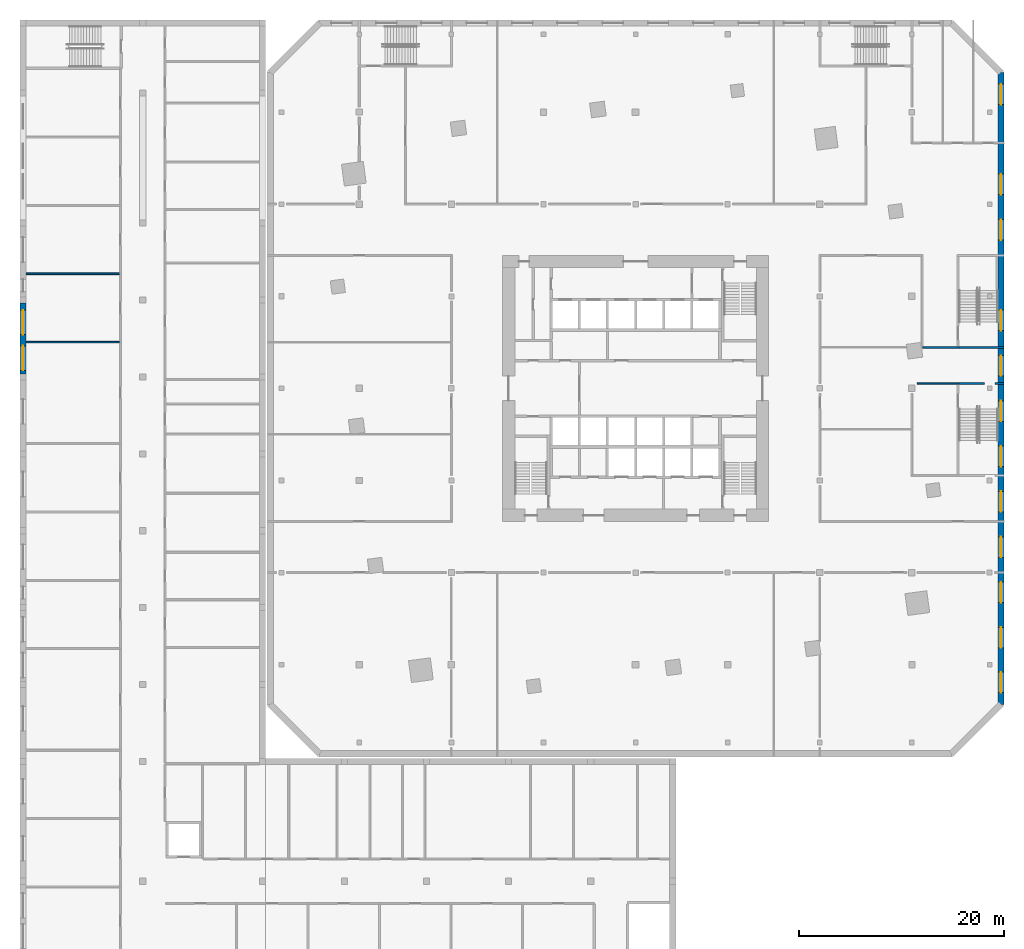
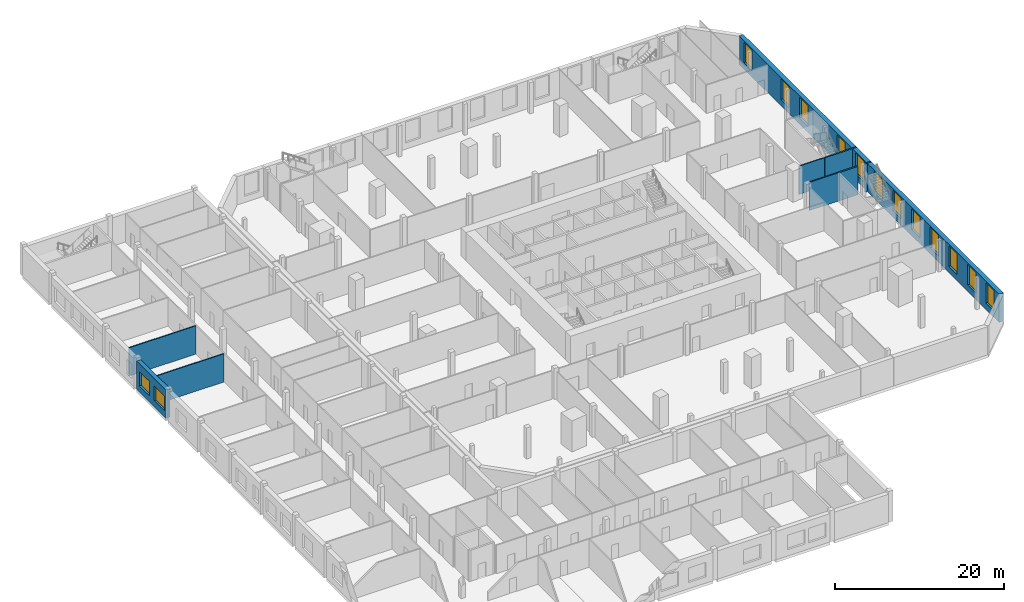
# One storey, part 9 of 18: 14 windows, 9 walls, 14 openings.
"""IFC4 building model written with IfcOpenShell, lengths in metres."""

from ifc_helpers import new_model, si_unit, direction, frame, frame_2d, origin, place, context, subcontext, project, spatial, rectangle, extrude, material, layer, layer_set, type_object, element, fill, save


model = new_model("IFC4")

# Units and contexts
model_context = context("Model", 3, precision=1e-05, world=origin(), true_north=direction((0.0, 1.0)))
body_context = subcontext(model_context, "Body", "Model", "MODEL_VIEW")
ifc_project = project(units=[si_unit("LENGTHUNIT", "METRE"), si_unit("AREAUNIT", "SQUARE_METRE"), si_unit("VOLUMEUNIT", "CUBIC_METRE"), si_unit("PLANEANGLEUNIT", "RADIAN"), si_unit("MASSUNIT", "GRAM", prefix="KILO")], contexts=[model_context])

# Site, building, storey
site_placement = place(None, origin())
site = spatial("IfcSite", under=ifc_project, at=site_placement, CompositionType="ELEMENT")
building_placement = place(site_placement, origin())
building = spatial("IfcBuilding", under=site, at=building_placement, Name="Dilmun Exchange Tower", CompositionType="ELEMENT")
storey_placement = place(building_placement, frame((0.0, 0.0, 13.5)))
storey = spatial("IfcBuildingStorey", under=building, at=storey_placement, Name="L03", CompositionType="ELEMENT", Elevation=13.5)

# Walls
ifc_material_1 = material(Name="Fire partition EI 60 150 gypsum")
ifc_layer_1 = layer(ifc_material_1, 0.14990234375)
ifc_layer_set_1 = layer_set([ifc_layer_1], Name="Fire partition EI 60 150 gypsum")
wall_type_1 = type_object("IfcWallType", Name="Fire partition EI 60 150 gypsum", PredefinedType="PARTITIONING", material=ifc_layer_set_1)
wall_1_placement = place(storey_placement, frame((27.5, 0.5, 0.0), z_axis=(0.0, 0.0, 1.0), x_axis=(1.0, 0.0, 0.0)))
element("IfcWall", 1, at=wall_1_placement, inside=storey, type_object=wall_type_1, Name="L03 partition", PredefinedType="PARTITIONING", context=body_context, shape_type="SweptSolid", body=[
    extrude(rectangle(XDim=4.10009765625, YDim=0.14990234375, at=frame_2d((2.050048828125, 0.0))), origin(), (0.0, 0.0, 1.0), 4.10009765625),
])
wall_2_placement = place(storey_placement, frame((28.074951171875, 4.0, 0.0), z_axis=(0.0, 0.0, 1.0), x_axis=(1.0, 0.0, 0.0)))
element("IfcWall", 2, at=wall_2_placement, inside=storey, type_object=wall_type_1, Name="L03 partition", PredefinedType="PARTITIONING", context=body_context, shape_type="SweptSolid", body=[
    extrude(rectangle(XDim=3.525146484375, YDim=0.14990234375, at=frame_2d((1.7626953125, 0.0))), origin(), (0.0, 0.0, 1.0), 4.10009765625),
])
ifc_material_2 = material(Name="Fire wall EI 120 200 blockwork", Category="masonry")
ifc_layer_2 = layer(ifc_material_2, 0.199951171875)
ifc_layer_set_2 = layer_set([ifc_layer_2], Name="Fire wall EI 120 200 blockwork")
wall_type_2 = type_object("IfcWallType", Name="Fire wall EI 120 200 blockwork", PredefinedType="PARTITIONING", material=ifc_layer_set_2)
wall_3_placement = place(storey_placement, frame((31.60009765625, 0.5, 0.0), z_axis=(0.0, 0.0, 1.0), x_axis=(1.0, 0.0, 0.0)))
element("IfcWall", 3, at=wall_3_placement, inside=storey, type_object=wall_type_2, Name="L03 stair wall", PredefinedType="PARTITIONING", context=body_context, shape_type="SweptSolid", body=[
    extrude(rectangle(XDim=2.5, YDim=0.199951171875, at=frame_2d((1.25, 0.0))), origin(), (0.0, 0.0, 1.0), 4.10009765625),
])
wall_4_placement = place(storey_placement, frame((35.10009765625, 0.5, 0.0), z_axis=(0.0, 0.0, 1.0), x_axis=(1.0, 0.0, 0.0)))
element("IfcWall", 4, at=wall_4_placement, inside=storey, type_object=wall_type_2, Name="L03 stair wall", PredefinedType="PARTITIONING", context=body_context, shape_type="SweptSolid", body=[
    extrude(rectangle(XDim=0.89990234375, YDim=0.199951171875, at=frame_2d((0.449951171875, 0.0))), origin(), (0.0, 0.0, 1.0), 4.10009765625),
])
wall_5_placement = place(storey_placement, frame((31.60009765625, 4.0, 0.0), z_axis=(0.0, 0.0, 1.0), x_axis=(1.0, 0.0, 0.0)))
element("IfcWall", 5, at=wall_5_placement, inside=storey, type_object=wall_type_2, Name="L03 stair wall", PredefinedType="PARTITIONING", context=body_context, shape_type="SweptSolid", body=[
    extrude(rectangle(XDim=4.39990234375, YDim=0.199951171875, at=frame_2d((2.199951171875, 0.0))), origin(), (0.0, 0.0, 1.0), 4.10009765625),
])

# Wall, openings, windows
ifc_material_3 = material(Name="Precast concrete C50/60", Category="concrete")
ifc_layer_3 = layer(ifc_material_3, 0.60009765625)
ifc_layer_set_3 = layer_set([ifc_layer_3], Name="Precast concrete C50/60")
wall_type_3 = type_object("IfcWallType", Name="Precast stone-clad wall 600", PredefinedType="STANDARD", material=ifc_layer_set_3)
wall_6_placement = place(storey_placement, frame((35.699951171875, -30.875732421875, 0.0), z_axis=(0.0, 0.0, 1.0), x_axis=(0.0, 1.0, 0.0)))
wall_6 = element("IfcWall", 6, at=wall_6_placement, inside=storey, type_object=wall_type_3, Name="Facade wall L03-02-0", PredefinedType="STANDARD", context=body_context, shape_type="SweptSolid", body=[
    extrude(rectangle(XDim=61.75146484375, YDim=0.60009765625, at=frame_2d((30.875732421875, 0.0))), origin(), (0.0, 0.0, 1.0), 4.10009765625),
])
opening_1_placement = place(wall_6_placement, frame((1.152099609375, 0.0, 0.89990234375)))
opening_1 = element("IfcOpeningElement", 7, at=opening_1_placement, cuts=wall_6, Name="Opening W200-300", PredefinedType="OPENING", context=body_context, shape_type="SweptSolid", body=[
    extrude(rectangle(XDim=2.0, YDim=3.0, at=frame_2d((1.0, 1.5))), frame((0.0, 0.31005859375, 0.0), z_axis=(0.0, -1.0, 0.0), x_axis=(1.0, 0.0, 0.0)), (0.0, 0.0, 1.0), 0.6201171875),
])
opening_2_placement = place(wall_6_placement, frame((5.5185546875, 0.0, 0.89990234375)))
opening_2 = element("IfcOpeningElement", 8, at=opening_2_placement, cuts=wall_6, Name="Opening W200-300", PredefinedType="OPENING", context=body_context, shape_type="SweptSolid", body=[
    extrude(rectangle(XDim=2.0, YDim=3.0, at=frame_2d((1.0, 1.5))), frame((0.0, 0.31005859375, 0.0), z_axis=(0.0, -1.0, 0.0), x_axis=(1.0, 0.0, 0.0)), (0.0, 0.0, 1.0), 0.6201171875),
])
opening_3_placement = place(wall_6_placement, frame((9.947265625, 0.0, 0.89990234375)))
opening_3 = element("IfcOpeningElement", 9, at=opening_3_placement, cuts=wall_6, Name="Opening W200-300", PredefinedType="OPENING", context=body_context, shape_type="SweptSolid", body=[
    extrude(rectangle(XDim=2.0, YDim=3.0, at=frame_2d((1.0, 1.5))), frame((0.0, 0.31005859375, 0.0), z_axis=(0.0, -1.0, 0.0), x_axis=(1.0, 0.0, 0.0)), (0.0, 0.0, 1.0), 0.6201171875),
])
opening_4_placement = place(wall_6_placement, frame((14.375732421875, 0.0, 0.89990234375)))
opening_4 = element("IfcOpeningElement", 10, at=opening_4_placement, cuts=wall_6, Name="Opening W200-300", PredefinedType="OPENING", context=body_context, shape_type="SweptSolid", body=[
    extrude(rectangle(XDim=2.0, YDim=3.0, at=frame_2d((1.0, 1.5))), frame((0.0, 0.31005859375, 0.0), z_axis=(0.0, -1.0, 0.0), x_axis=(1.0, 0.0, 0.0)), (0.0, 0.0, 1.0), 0.6201171875),
])
opening_5_placement = place(wall_6_placement, frame((18.80419921875, 0.0, 0.89990234375)))
opening_5 = element("IfcOpeningElement", 11, at=opening_5_placement, cuts=wall_6, Name="Opening W200-300", PredefinedType="OPENING", context=body_context, shape_type="SweptSolid", body=[
    extrude(rectangle(XDim=2.0, YDim=3.0, at=frame_2d((1.0, 1.5))), frame((0.0, 0.31005859375, 0.0), z_axis=(0.0, -1.0, 0.0), x_axis=(1.0, 0.0, 0.0)), (0.0, 0.0, 1.0), 0.6201171875),
])
opening_6_placement = place(wall_6_placement, frame((23.23291015625, 0.0, 0.89990234375)))
opening_6 = element("IfcOpeningElement", 12, at=opening_6_placement, cuts=wall_6, Name="Opening W200-300", PredefinedType="OPENING", context=body_context, shape_type="SweptSolid", body=[
    extrude(rectangle(XDim=2.0, YDim=3.0, at=frame_2d((1.0, 1.5))), frame((0.0, 0.31005859375, 0.0), z_axis=(0.0, -1.0, 0.0), x_axis=(1.0, 0.0, 0.0)), (0.0, 0.0, 1.0), 0.6201171875),
])
opening_7_placement = place(wall_6_placement, frame((27.66162109375, 0.0, 0.89990234375)))
opening_7 = element("IfcOpeningElement", 13, at=opening_7_placement, cuts=wall_6, Name="Opening W200-300", PredefinedType="OPENING", context=body_context, shape_type="SweptSolid", body=[
    extrude(rectangle(XDim=2.0, YDim=3.0, at=frame_2d((1.0, 1.5))), frame((0.0, 0.31005859375, 0.0), z_axis=(0.0, -1.0, 0.0), x_axis=(1.0, 0.0, 0.0)), (0.0, 0.0, 1.0), 0.6201171875),
])
opening_8_placement = place(wall_6_placement, frame((32.090087890625, 0.0, 0.89990234375)))
opening_8 = element("IfcOpeningElement", 14, at=opening_8_placement, cuts=wall_6, Name="Opening W200-300", PredefinedType="OPENING", context=body_context, shape_type="SweptSolid", body=[
    extrude(rectangle(XDim=2.0, YDim=3.0, at=frame_2d((1.0, 1.5))), frame((0.0, 0.31005859375, 0.0), z_axis=(0.0, -1.0, 0.0), x_axis=(1.0, 0.0, 0.0)), (0.0, 0.0, 1.0), 0.6201171875),
])
opening_9_placement = place(wall_6_placement, frame((36.5185546875, 0.0, 0.89990234375)))
opening_9 = element("IfcOpeningElement", 15, at=opening_9_placement, cuts=wall_6, Name="Opening W200-300", PredefinedType="OPENING", context=body_context, shape_type="SweptSolid", body=[
    extrude(rectangle(XDim=2.0, YDim=3.0, at=frame_2d((1.0, 1.5))), frame((0.0, 0.31005859375, 0.0), z_axis=(0.0, -1.0, 0.0), x_axis=(1.0, 0.0, 0.0)), (0.0, 0.0, 1.0), 0.6201171875),
])
opening_10_placement = place(wall_6_placement, frame((45.375732421875, 0.0, 0.89990234375)))
opening_10 = element("IfcOpeningElement", 16, at=opening_10_placement, cuts=wall_6, Name="Opening W200-300", PredefinedType="OPENING", context=body_context, shape_type="SweptSolid", body=[
    extrude(rectangle(XDim=2.0, YDim=3.0, at=frame_2d((1.0, 1.5))), frame((0.0, 0.31005859375, 0.0), z_axis=(0.0, -1.0, 0.0), x_axis=(1.0, 0.0, 0.0)), (0.0, 0.0, 1.0), 0.6201171875),
])
opening_11_placement = place(wall_6_placement, frame((49.80419921875, 0.0, 0.89990234375)))
opening_11 = element("IfcOpeningElement", 17, at=opening_11_placement, cuts=wall_6, Name="Opening W200-300", PredefinedType="OPENING", context=body_context, shape_type="SweptSolid", body=[
    extrude(rectangle(XDim=2.0, YDim=3.0, at=frame_2d((1.0, 1.5))), frame((0.0, 0.31005859375, 0.0), z_axis=(0.0, -1.0, 0.0), x_axis=(1.0, 0.0, 0.0)), (0.0, 0.0, 1.0), 0.6201171875),
])
opening_12_placement = place(wall_6_placement, frame((58.599365234375, 0.0, 0.89990234375)))
opening_12 = element("IfcOpeningElement", 18, at=opening_12_placement, cuts=wall_6, Name="Opening W200-300", PredefinedType="OPENING", context=body_context, shape_type="SweptSolid", body=[
    extrude(rectangle(XDim=2.0, YDim=3.0, at=frame_2d((1.0, 1.5))), frame((0.0, 0.31005859375, 0.0), z_axis=(0.0, -1.0, 0.0), x_axis=(1.0, 0.0, 0.0)), (0.0, 0.0, 1.0), 0.6201171875),
])
ifc_material_4 = material(Name="Clear low-emissivity glass in aluminium frame", Category="aluminium")
window_type_1 = type_object("IfcWindowType", Name="Punched window 2000 x 3000", PartitioningType="DOUBLE_PANEL_VERTICAL", PredefinedType="WINDOW", material=ifc_material_4)
window_1_placement = place(opening_1_placement, origin())
window_1 = element("IfcWindow", 19, at=window_1_placement, inside=storey, type_object=window_type_1, Name="Window 3.1", OverallHeight=3.0, OverallWidth=2.0, PartitioningType="SINGLE_PANEL", PredefinedType="WINDOW", context=body_context, shape_type="SweptSolid", body=[
    extrude(rectangle(XDim=2.0, YDim=3.0, at=frame_2d((1.0, 1.5))), frame((0.0, 0.030029296875, 0.0), z_axis=(0.0, -1.0, 0.0), x_axis=(1.0, 0.0, 0.0)), (0.0, 0.0, 1.0), 0.06005859375),
])
fill(opening_1, window_1)
window_2_placement = place(opening_2_placement, origin())
window_2 = element("IfcWindow", 20, at=window_2_placement, inside=storey, type_object=window_type_1, Name="Window 3.2", OverallHeight=3.0, OverallWidth=2.0, PartitioningType="SINGLE_PANEL", PredefinedType="WINDOW", context=body_context, shape_type="SweptSolid", body=[
    extrude(rectangle(XDim=2.0, YDim=3.0, at=frame_2d((1.0, 1.5))), frame((0.0, 0.030029296875, 0.0), z_axis=(0.0, -1.0, 0.0), x_axis=(1.0, 0.0, 0.0)), (0.0, 0.0, 1.0), 0.06005859375),
])
fill(opening_2, window_2)
window_3_placement = place(opening_3_placement, origin())
window_3 = element("IfcWindow", 21, at=window_3_placement, inside=storey, type_object=window_type_1, Name="Window 3.3", OverallHeight=3.0, OverallWidth=2.0, PartitioningType="SINGLE_PANEL", PredefinedType="WINDOW", context=body_context, shape_type="SweptSolid", body=[
    extrude(rectangle(XDim=2.0, YDim=3.0, at=frame_2d((1.0, 1.5))), frame((0.0, 0.030029296875, 0.0), z_axis=(0.0, -1.0, 0.0), x_axis=(1.0, 0.0, 0.0)), (0.0, 0.0, 1.0), 0.06005859375),
])
fill(opening_3, window_3)
window_4_placement = place(opening_4_placement, origin())
window_4 = element("IfcWindow", 22, at=window_4_placement, inside=storey, type_object=window_type_1, Name="Window 3.4", OverallHeight=3.0, OverallWidth=2.0, PartitioningType="SINGLE_PANEL", PredefinedType="WINDOW", context=body_context, shape_type="SweptSolid", body=[
    extrude(rectangle(XDim=2.0, YDim=3.0, at=frame_2d((1.0, 1.5))), frame((0.0, 0.030029296875, 0.0), z_axis=(0.0, -1.0, 0.0), x_axis=(1.0, 0.0, 0.0)), (0.0, 0.0, 1.0), 0.06005859375),
])
fill(opening_4, window_4)
window_5_placement = place(opening_5_placement, origin())
window_5 = element("IfcWindow", 23, at=window_5_placement, inside=storey, type_object=window_type_1, Name="Window 3.5", OverallHeight=3.0, OverallWidth=2.0, PartitioningType="SINGLE_PANEL", PredefinedType="WINDOW", context=body_context, shape_type="SweptSolid", body=[
    extrude(rectangle(XDim=2.0, YDim=3.0, at=frame_2d((1.0, 1.5))), frame((0.0, 0.030029296875, 0.0), z_axis=(0.0, -1.0, 0.0), x_axis=(1.0, 0.0, 0.0)), (0.0, 0.0, 1.0), 0.06005859375),
])
fill(opening_5, window_5)
window_6_placement = place(opening_6_placement, origin())
window_6 = element("IfcWindow", 24, at=window_6_placement, inside=storey, type_object=window_type_1, Name="Window 3.6", OverallHeight=3.0, OverallWidth=2.0, PartitioningType="SINGLE_PANEL", PredefinedType="WINDOW", context=body_context, shape_type="SweptSolid", body=[
    extrude(rectangle(XDim=2.0, YDim=3.0, at=frame_2d((1.0, 1.5))), frame((0.0, 0.030029296875, 0.0), z_axis=(0.0, -1.0, 0.0), x_axis=(1.0, 0.0, 0.0)), (0.0, 0.0, 1.0), 0.06005859375),
])
fill(opening_6, window_6)
window_7_placement = place(opening_7_placement, origin())
window_7 = element("IfcWindow", 25, at=window_7_placement, inside=storey, type_object=window_type_1, Name="Window 3.7", OverallHeight=3.0, OverallWidth=2.0, PartitioningType="SINGLE_PANEL", PredefinedType="WINDOW", context=body_context, shape_type="SweptSolid", body=[
    extrude(rectangle(XDim=2.0, YDim=3.0, at=frame_2d((1.0, 1.5))), frame((0.0, 0.030029296875, 0.0), z_axis=(0.0, -1.0, 0.0), x_axis=(1.0, 0.0, 0.0)), (0.0, 0.0, 1.0), 0.06005859375),
])
fill(opening_7, window_7)
window_8_placement = place(opening_8_placement, origin())
window_8 = element("IfcWindow", 26, at=window_8_placement, inside=storey, type_object=window_type_1, Name="Window 3.8", OverallHeight=3.0, OverallWidth=2.0, PartitioningType="SINGLE_PANEL", PredefinedType="WINDOW", context=body_context, shape_type="SweptSolid", body=[
    extrude(rectangle(XDim=2.0, YDim=3.0, at=frame_2d((1.0, 1.5))), frame((0.0, 0.030029296875, 0.0), z_axis=(0.0, -1.0, 0.0), x_axis=(1.0, 0.0, 0.0)), (0.0, 0.0, 1.0), 0.06005859375),
])
fill(opening_8, window_8)
window_9_placement = place(opening_9_placement, origin())
window_9 = element("IfcWindow", 27, at=window_9_placement, inside=storey, type_object=window_type_1, Name="Window 3.9", OverallHeight=3.0, OverallWidth=2.0, PartitioningType="SINGLE_PANEL", PredefinedType="WINDOW", context=body_context, shape_type="SweptSolid", body=[
    extrude(rectangle(XDim=2.0, YDim=3.0, at=frame_2d((1.0, 1.5))), frame((0.0, 0.030029296875, 0.0), z_axis=(0.0, -1.0, 0.0), x_axis=(1.0, 0.0, 0.0)), (0.0, 0.0, 1.0), 0.06005859375),
])
fill(opening_9, window_9)
window_10_placement = place(opening_10_placement, origin())
window_10 = element("IfcWindow", 28, at=window_10_placement, inside=storey, type_object=window_type_1, Name="Window 3.11", OverallHeight=3.0, OverallWidth=2.0, PartitioningType="SINGLE_PANEL", PredefinedType="WINDOW", context=body_context, shape_type="SweptSolid", body=[
    extrude(rectangle(XDim=2.0, YDim=3.0, at=frame_2d((1.0, 1.5))), frame((0.0, 0.030029296875, 0.0), z_axis=(0.0, -1.0, 0.0), x_axis=(1.0, 0.0, 0.0)), (0.0, 0.0, 1.0), 0.06005859375),
])
fill(opening_10, window_10)
window_11_placement = place(opening_11_placement, origin())
window_11 = element("IfcWindow", 29, at=window_11_placement, inside=storey, type_object=window_type_1, Name="Window 3.12", OverallHeight=3.0, OverallWidth=2.0, PartitioningType="SINGLE_PANEL", PredefinedType="WINDOW", context=body_context, shape_type="SweptSolid", body=[
    extrude(rectangle(XDim=2.0, YDim=3.0, at=frame_2d((1.0, 1.5))), frame((0.0, 0.030029296875, 0.0), z_axis=(0.0, -1.0, 0.0), x_axis=(1.0, 0.0, 0.0)), (0.0, 0.0, 1.0), 0.06005859375),
])
fill(opening_11, window_11)
window_12_placement = place(opening_12_placement, origin())
window_12 = element("IfcWindow", 30, at=window_12_placement, inside=storey, type_object=window_type_1, Name="Window 3.14", OverallHeight=3.0, OverallWidth=2.0, PartitioningType="SINGLE_PANEL", PredefinedType="WINDOW", context=body_context, shape_type="SweptSolid", body=[
    extrude(rectangle(XDim=2.0, YDim=3.0, at=frame_2d((1.0, 1.5))), frame((0.0, 0.030029296875, 0.0), z_axis=(0.0, -1.0, 0.0), x_axis=(1.0, 0.0, 0.0)), (0.0, 0.0, 1.0), 0.06005859375),
])
fill(opening_12, window_12)

ifc_material_5 = material(Name="Precast concrete C40/50", Category="concrete")
ifc_layer_4 = layer(ifc_material_5, 0.60009765625)
ifc_layer_set_4 = layer_set([ifc_layer_4], Name="Precast concrete C40/50")
wall_type_4 = type_object("IfcWallType", Name="School external wall 600 precast C40/50", PredefinedType="STANDARD", material=ifc_layer_set_4)
wall_7_placement = place(storey_placement, frame((-59.85009765625, 1.42138671875, 0.0), z_axis=(0.0, 0.0, 1.0), x_axis=(0.0, 1.0, 0.0)))
wall_7 = element("IfcWall", 31, at=wall_7_placement, inside=storey, type_object=wall_type_4, Name="School external wall", PredefinedType="STANDARD", context=body_context, shape_type="SweptSolid", body=[
    extrude(rectangle(XDim=6.914306640625, YDim=0.60009765625, at=frame_2d((3.45703125, 0.0))), origin(), (0.0, 0.0, 1.0), 4.10009765625),
])
opening_13_placement = place(wall_7_placement, frame((0.333251953125, 0.0, 0.89990234375)))
opening_13 = element("IfcOpeningElement", 32, at=opening_13_placement, cuts=wall_7, Name="Opening SCH-W24", PredefinedType="OPENING", context=body_context, shape_type="SweptSolid", body=[
    extrude(rectangle(XDim=2.39990234375, YDim=2.10009765625, at=frame_2d((1.199951171875, 1.050048828125))), frame((0.0, 0.31005859375, 0.0), z_axis=(0.0, -1.0, 0.0), x_axis=(1.0, 0.0, 0.0)), (0.0, 0.0, 1.0), 0.6201171875),
])
opening_14_placement = place(wall_7_placement, frame((3.835205078125, 0.0, 0.89990234375)))
opening_14 = element("IfcOpeningElement", 33, at=opening_14_placement, cuts=wall_7, Name="Opening SCH-W24", PredefinedType="OPENING", context=body_context, shape_type="SweptSolid", body=[
    extrude(rectangle(XDim=2.39990234375, YDim=2.10009765625, at=frame_2d((1.199951171875, 1.050048828125))), frame((0.0, 0.31005859375, 0.0), z_axis=(0.0, -1.0, 0.0), x_axis=(1.0, 0.0, 0.0)), (0.0, 0.0, 1.0), 0.6201171875),
])
window_type_2 = type_object("IfcWindowType", Name="School window 2400 x 2100", PartitioningType="DOUBLE_PANEL_VERTICAL", PredefinedType="WINDOW", material=ifc_material_4)
window_13_placement = place(opening_13_placement, origin())
window_13 = element("IfcWindow", 34, at=window_13_placement, inside=storey, type_object=window_type_2, Name="School window", OverallHeight=2.10009765625, OverallWidth=2.39990234375, PartitioningType="SINGLE_PANEL", PredefinedType="WINDOW", context=body_context, shape_type="SweptSolid", body=[
    extrude(rectangle(XDim=2.39990234375, YDim=2.10009765625, at=frame_2d((1.199951171875, 1.050048828125))), frame((0.0, 0.030029296875, 0.0), z_axis=(0.0, -1.0, 0.0), x_axis=(1.0, 0.0, 0.0)), (0.0, 0.0, 1.0), 0.06005859375),
])
fill(opening_13, window_13)
window_14_placement = place(opening_14_placement, origin())
window_14 = element("IfcWindow", 35, at=window_14_placement, inside=storey, type_object=window_type_2, Name="School window", OverallHeight=2.10009765625, OverallWidth=2.39990234375, PartitioningType="SINGLE_PANEL", PredefinedType="WINDOW", context=body_context, shape_type="SweptSolid", body=[
    extrude(rectangle(XDim=2.39990234375, YDim=2.10009765625, at=frame_2d((1.199951171875, 1.050048828125))), frame((0.0, 0.030029296875, 0.0), z_axis=(0.0, -1.0, 0.0), x_axis=(1.0, 0.0, 0.0)), (0.0, 0.0, 1.0), 0.06005859375),
])
fill(opening_14, window_14)

# Walls
ifc_material_6 = material(Name="Gypsum board on steel studs", Category="steel")
ifc_layer_5 = layer(ifc_material_6, 0.14990234375)
ifc_layer_set_5 = layer_set([ifc_layer_5], Name="Gypsum board on steel studs")
wall_type_5 = type_object("IfcWallType", Name="School partition 150 gypsum board", PredefinedType="PARTITIONING", material=ifc_layer_set_5)
for number, where, z_axis, x_axis, name in (
    (36, (-59.550048828125, 4.53271484375, 0.0), (0.0, 0.0, 1.0), (1.0, 0.0, 0.0), "School partition"),
    (37, (-59.550048828125, 11.205810546875, 0.0), (0.0, 0.0, 1.0), (1.0, 0.0, 0.0), "School partition"),
):
    element("IfcWall", number, at=place(storey_placement, frame(where, z_axis=z_axis, x_axis=x_axis)), inside=storey, type_object=wall_type_5, Name=name, PredefinedType="PARTITIONING", context=body_context, shape_type="SweptSolid", body=[
        extrude(rectangle(XDim=9.150146484375, YDim=0.14990234375, at=frame_2d((4.5751953125, 0.0))), origin(), (0.0, 0.0, 1.0), 4.10009765625),
    ])

save(model, "model.ifc")
